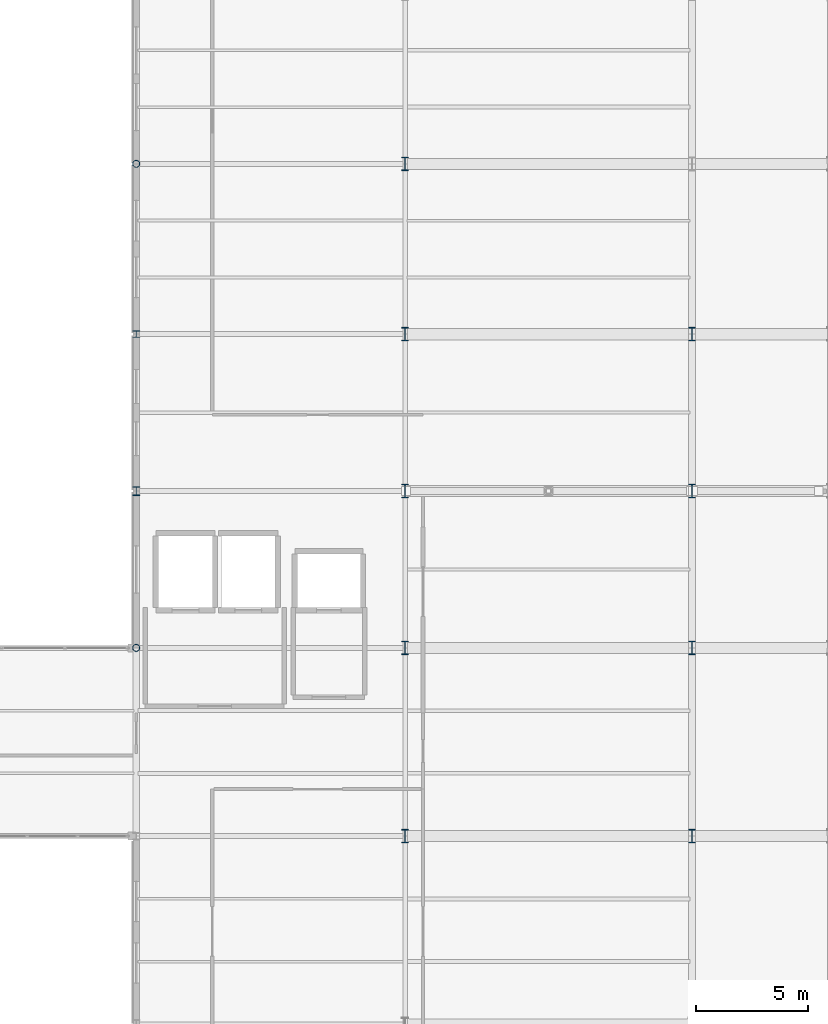
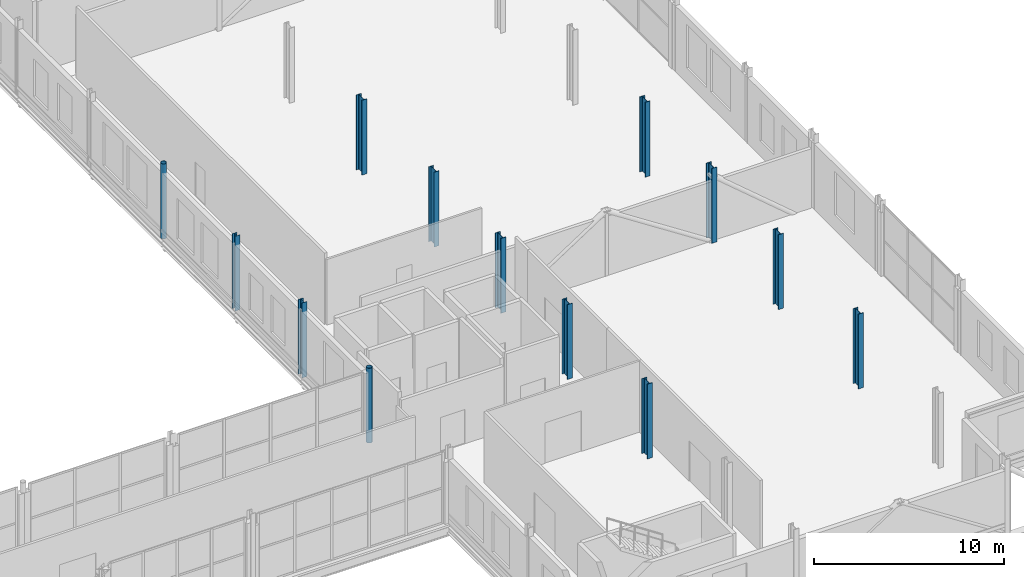
# One storey, part 13 of 120: 13 columns.
"""IFC4 building model written with IfcOpenShell, lengths in metres."""

from ifc_helpers import new_model, si_unit, direction, frame, origin, origin_2d, place, context, subcontext, project, spatial, hollow_circle, i_section, extrude, material, material_profile, profile_set, type_object, element, save


model = new_model("IFC4")

# Units and contexts
model_context = context("Model", 3, precision=1e-05, world=origin(), true_north=direction((0.0, 1.0)))
body_context = subcontext(model_context, "Body", "Model", "MODEL_VIEW")
ifc_project = project(units=[si_unit("LENGTHUNIT", "METRE"), si_unit("AREAUNIT", "SQUARE_METRE"), si_unit("VOLUMEUNIT", "CUBIC_METRE"), si_unit("PLANEANGLEUNIT", "RADIAN"), si_unit("MASSUNIT", "GRAM", prefix="KILO")], contexts=[model_context])

# Site, building, storey
site_placement = place(None, origin())
site = spatial("IfcSite", under=ifc_project, at=site_placement, CompositionType="ELEMENT")
building_placement = place(site_placement, origin())
building = spatial("IfcBuilding", under=site, at=building_placement, Name="Vekula Escarpment Museum", CompositionType="ELEMENT")
storey_placement = place(building_placement, frame((0.0, 0.0, 13.199951171875)))
storey = spatial("IfcBuildingStorey", under=building, at=storey_placement, Name="L03", CompositionType="ELEMENT", Elevation=13.199951171875)

# Columns
ifc_material_1 = material(Name="Steel S355", Category="steel")
ifc_material_profile_1 = material_profile(ifc_material_1, hollow_circle(Radius=0.161865234375, WallThickness=0.01611328125, at=origin_2d()), Name="CHS 323.9x16")
ifc_profile_set_1 = profile_set([ifc_material_profile_1], Name="Steel S355")
column_type_1 = type_object("IfcColumnType", Name="COL-S-CHS323", PredefinedType="COLUMN", material=ifc_profile_set_1)
for number, where, z_axis, x_axis, name in (
    (1, (167.0, 76.39990234375, 0.0), (0.0, 0.0, 1.0), (1.0, 0.0, 0.0), "Column L03 (167.0,76.4)"),
    (2, (167.0, 98.0, 0.0), (0.0, 0.0, 1.0), (1.0, 0.0, 0.0), "Column L03 (167.0,98.0)"),
):
    element("IfcColumn", number, at=place(storey_placement, frame(where, z_axis=z_axis, x_axis=x_axis)), inside=storey, type_object=column_type_1, Name=name, PredefinedType="COLUMN", context=body_context, shape_type="SweptSolid", body=[
        extrude(hollow_circle(Radius=0.161865234375, WallThickness=0.01611328125, at=origin_2d()), origin(), (0.0, 0.0, 1.0), 4.800048828125),
    ])
ifc_material_2 = material(Name="Steel S355", Category="steel")
ifc_material_profile_2 = material_profile(ifc_material_2, i_section(OverallWidth=0.300048828125, OverallDepth=0.2900390625, WebThickness=0.008544921875, FlangeThickness=0.013916015625, FilletRadius=0.027099609375, at=origin_2d()), Name="HEA 300")
ifc_profile_set_2 = profile_set([ifc_material_profile_2], Name="Steel S355")
column_type_2 = type_object("IfcColumnType", Name="COL-S-HEA300", PredefinedType="COLUMN", material=ifc_profile_set_2)
column_1_placement = place(storey_placement, frame((167.0, 90.39990234375, 0.0), z_axis=(0.0, 0.0, 1.0), x_axis=(1.0, 0.0, 0.0)))
element("IfcColumn", 3, at=column_1_placement, inside=storey, type_object=column_type_2, Name="Column L03 (167.0,90.4)", PredefinedType="COLUMN", context=body_context, shape_type="SweptSolid", body=[
    extrude(i_section(OverallWidth=0.300048828125, OverallDepth=0.2900390625, WebThickness=0.008544921875, FlangeThickness=0.013916015625, FilletRadius=0.027099609375, at=origin_2d()), origin(), (0.0, 0.0, 1.0), 4.800048828125),
])
ifc_material_3 = material(Name="Steel S355", Category="steel")
ifc_material_profile_3 = material_profile(ifc_material_3, i_section(OverallWidth=0.300048828125, OverallDepth=0.39990234375, WebThickness=0.013427734375, FlangeThickness=0.02392578125, FilletRadius=0.027099609375, at=origin_2d()), Name="HEB 400")
ifc_profile_set_3 = profile_set([ifc_material_profile_3], Name="Steel S355")
column_type_3 = type_object("IfcColumnType", Name="COL-S-HEB400", PredefinedType="COLUMN", material=ifc_profile_set_3)
column_2_placement = place(storey_placement, frame((167.0, 83.39990234375, 0.0), z_axis=(0.0, 0.0, 1.0), x_axis=(1.0, 0.0, 0.0)))
element("IfcColumn", 4, at=column_2_placement, inside=storey, type_object=column_type_3, Name="Column L03 (167.0,83.4)", PredefinedType="COLUMN", context=body_context, shape_type="SweptSolid", body=[
    extrude(i_section(OverallWidth=0.300048828125, OverallDepth=0.39990234375, WebThickness=0.013427734375, FlangeThickness=0.02392578125, FilletRadius=0.027099609375, at=origin_2d()), origin(), (0.0, 0.0, 1.0), 4.800048828125),
])
ifc_material_4 = material(Name="Steel S355", Category="steel")
ifc_material_profile_4 = material_profile(ifc_material_4, i_section(OverallWidth=0.300048828125, OverallDepth=0.60009765625, WebThickness=0.015380859375, FlangeThickness=0.030029296875, FilletRadius=0.027099609375, at=origin_2d()), Name="HEB 600")
ifc_profile_set_4 = profile_set([ifc_material_profile_4], Name="Steel S355")
column_type_4 = type_object("IfcColumnType", Name="COL-S-HEB600", PredefinedType="COLUMN", material=ifc_profile_set_4)
for number, where, z_axis, x_axis, name in (
    (5, (179.0, 68.0, 0.0), (0.0, 0.0, 1.0), (1.0, 0.0, 0.0), "Column L03 (179.0,68.0)"),
    (6, (179.0, 76.39990234375, 0.0), (0.0, 0.0, 1.0), (1.0, 0.0, 0.0), "Column L03 (179.0,76.4)"),
    (7, (179.0, 83.39990234375, 0.0), (0.0, 0.0, 1.0), (1.0, 0.0, 0.0), "Column L03 (179.0,83.4)"),
    (8, (179.0, 90.39990234375, 0.0), (0.0, 0.0, 1.0), (1.0, 0.0, 0.0), "Column L03 (179.0,90.4)"),
    (9, (179.0, 98.0, 0.0), (0.0, 0.0, 1.0), (1.0, 0.0, 0.0), "Column L03 (179.0,98.0)"),
    (10, (191.800048828125, 68.0, 0.0), (0.0, 0.0, 1.0), (1.0, 0.0, 0.0), "Column L03 (191.8,68.0)"),
    (11, (191.800048828125, 76.39990234375, 0.0), (0.0, 0.0, 1.0), (1.0, 0.0, 0.0), "Column L03 (191.8,76.4)"),
    (12, (191.800048828125, 83.39990234375, 0.0), (0.0, 0.0, 1.0), (1.0, 0.0, 0.0), "Column L03 (191.8,83.4)"),
    (13, (191.800048828125, 90.39990234375, 0.0), (0.0, 0.0, 1.0), (1.0, 0.0, 0.0), "Column L03 (191.8,90.4)"),
):
    element("IfcColumn", number, at=place(storey_placement, frame(where, z_axis=z_axis, x_axis=x_axis)), inside=storey, type_object=column_type_4, Name=name, PredefinedType="COLUMN", context=body_context, shape_type="SweptSolid", body=[
        extrude(i_section(OverallWidth=0.300048828125, OverallDepth=0.60009765625, WebThickness=0.015380859375, FlangeThickness=0.030029296875, FilletRadius=0.027099609375, at=origin_2d()), origin(), (0.0, 0.0, 1.0), 4.800048828125),
    ])

save(model, "model.ifc")
